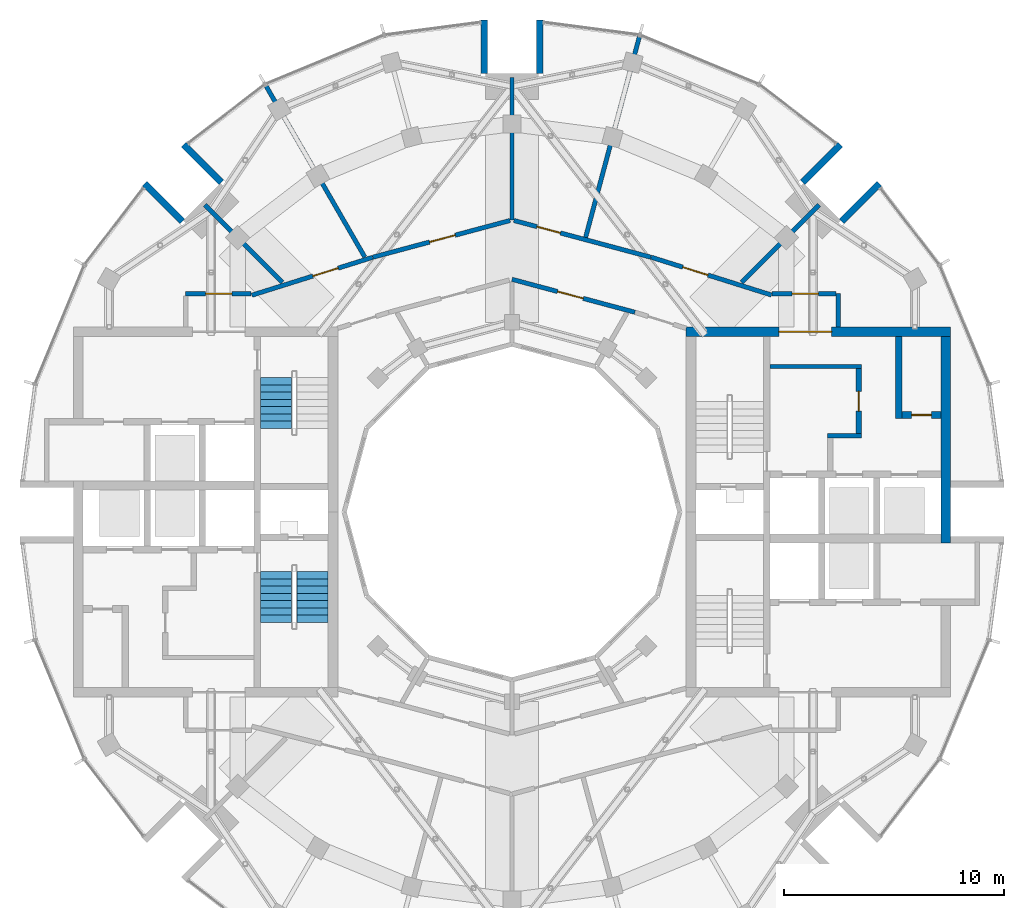
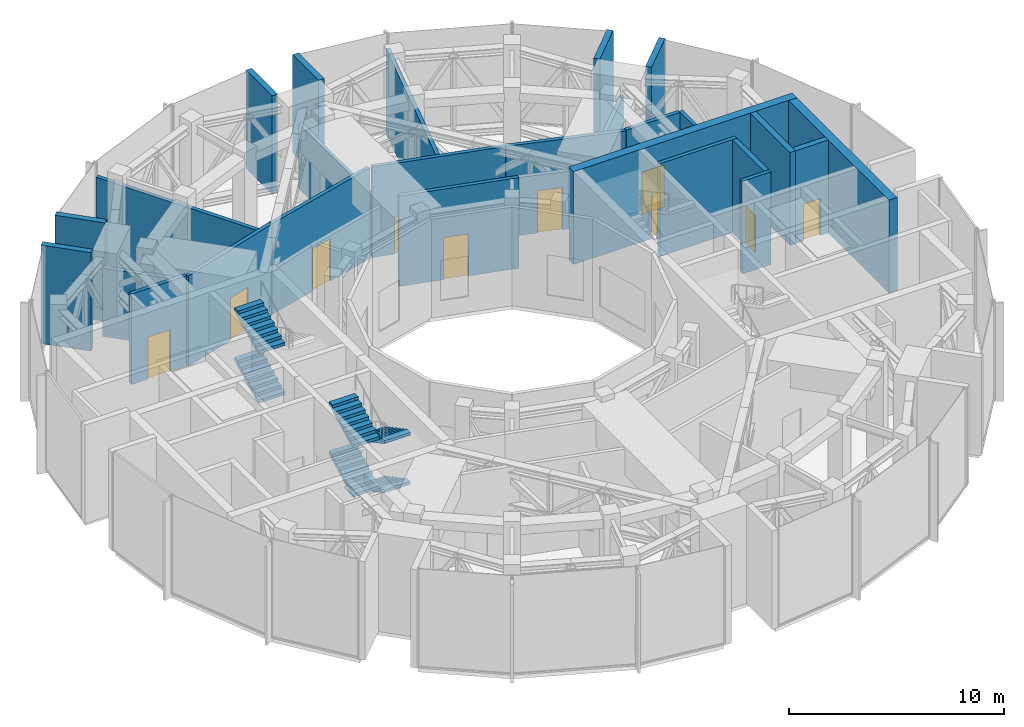
# One storey, part 14 of 17: 26 walls, 10 doors, 6 stair flights, 10 openings, 2 elements without a shape of their own.
"""IFC4 building model written with IfcOpenShell, lengths in metres."""

from ifc_helpers import new_model, si_unit, direction, frame, frame_2d, origin, place, context, subcontext, project, spatial, polyline, rectangle, outline, extrude, material, layer, layer_set, type_object, element, fill, aggregate, save


model = new_model("IFC4")

# Units and contexts
model_context = context("Model", 3, precision=1e-05, world=origin(), true_north=direction((0.0, 1.0)))
body_context = subcontext(model_context, "Body", "Model", "MODEL_VIEW")
ifc_project = project(units=[si_unit("LENGTHUNIT", "METRE"), si_unit("AREAUNIT", "SQUARE_METRE"), si_unit("VOLUMEUNIT", "CUBIC_METRE"), si_unit("PLANEANGLEUNIT", "RADIAN"), si_unit("MASSUNIT", "GRAM", prefix="KILO")], contexts=[model_context])

# Site, building, storey
site_placement = place(None, origin())
site = spatial("IfcSite", under=ifc_project, at=site_placement, CompositionType="ELEMENT")
building_placement = place(site_placement, origin())
building = spatial("IfcBuilding", under=site, at=building_placement, Name="Torre Brocal", CompositionType="ELEMENT")
storey_placement = place(building_placement, frame((0.0, 0.0, 309.300048828125)))
storey = spatial("IfcBuildingStorey", under=building, at=storey_placement, Name="L71", CompositionType="ELEMENT", Elevation=309.300048828125)

# Walls
ifc_material_1 = material(Name="Concrete C50", Category="concrete")
ifc_layer_1 = layer(ifc_material_1, 0.199951171875)
ifc_layer_set_1 = layer_set([ifc_layer_1], Name="Concrete C50")
wall_type_1 = type_object("IfcWallType", Name="CORE WALL 200 C50", PredefinedType="SHEAR", material=ifc_layer_set_1)
wall_1_placement = place(storey_placement, frame((91.699951171875, 81.60009765625, 0.0), z_axis=(0.0, 0.0, 1.0), x_axis=(1.0, 0.0, 0.0)))
element("IfcWall", 1, at=wall_1_placement, inside=storey, type_object=wall_type_1, Name="Wall CW200-50", PredefinedType="SHEAR", context=body_context, shape_type="SweptSolid", body=[
    extrude(rectangle(XDim=4.150146484375, YDim=0.199951171875, at=frame_2d((2.0751953125, 0.0))), origin(), (0.0, 0.0, 1.0), 5.280029296875),
])
wall_2_placement = place(storey_placement, frame((94.300048828125, 78.449951171875, 0.0), z_axis=(0.0, 0.0, 1.0), x_axis=(1.0, 0.0, 0.0)))
element("IfcWall", 2, at=wall_2_placement, inside=storey, type_object=wall_type_1, Name="Wall CW200-50", PredefinedType="SHEAR", context=body_context, shape_type="SweptSolid", body=[
    extrude(rectangle(XDim=1.550048828125, YDim=0.199951171875, at=frame_2d((0.77490234375, 0.0))), origin(), (0.0, 0.0, 1.0), 5.280029296875),
])

# Wall, opening, door
ifc_material_2 = material(Name="Concrete C50", Category="concrete")
ifc_layer_2 = layer(ifc_material_2, 0.25)
ifc_layer_set_2 = layer_set([ifc_layer_2], Name="Concrete C50")
wall_type_2 = type_object("IfcWallType", Name="CORE WALL 250 C50", PredefinedType="SHEAR", material=ifc_layer_set_2)
wall_3_placement = place(storey_placement, frame((95.72509765625, 78.550048828125, 0.0), z_axis=(0.0, 0.0, 1.0), x_axis=(0.0, 1.0, 0.0)))
wall_3 = element("IfcWall", 3, at=wall_3_placement, inside=storey, type_object=wall_type_2, Name="Wall CW250-50", PredefinedType="SHEAR", context=body_context, shape_type="SweptSolid", body=[
    extrude(rectangle(XDim=2.949951171875, YDim=0.25, at=frame_2d((1.47509765625, 0.0))), origin(), (0.0, 0.0, 1.0), 5.280029296875),
])
opening_1_placement = place(wall_3_placement, frame((1.02490234375, 0.0, 0.0)))
opening_1 = element("IfcOpeningElement", 4, at=opening_1_placement, cuts=wall_3, Name="Opening E-D19", PredefinedType="OPENING", context=body_context, shape_type="SweptSolid", body=[
    extrude(rectangle(XDim=0.89990234375, YDim=2.10009765625, at=frame_2d((0.449951171875, 1.050048828125))), frame((0.0, 0.135009765625, 0.0), z_axis=(0.0, -1.0, 0.0), x_axis=(1.0, 0.0, 0.0)), (0.0, 0.0, 1.0), 0.27001953125),
])
ifc_material_3 = material(Name="Steel A653", Category="steel")
door_type_1 = type_object("IfcDoorType", Name="LOBBY DOOR FD120 900X2100", OperationType="SINGLE_SWING_RIGHT", PredefinedType="DOOR", material=ifc_material_3)
door_1_placement = place(opening_1_placement, origin())
door_1 = element("IfcDoor", 5, at=door_1_placement, inside=storey, type_object=door_type_1, Name="Door E-D19", OperationType="SINGLE_SWING_LEFT", OverallHeight=2.10009765625, OverallWidth=0.89990234375, PredefinedType="DOOR", context=body_context, shape_type="SweptSolid", body=[
    extrude(rectangle(XDim=0.89990234375, YDim=2.10009765625, at=frame_2d((0.449951171875, 1.050048828125))), frame((0.0, 0.02490234375, 0.0), z_axis=(0.0, -1.0, 0.0), x_axis=(1.0, 0.0, 0.0)), (0.0, 0.0, 1.0), 0.050048828125),
])
fill(opening_1, door_1)

# Wall
ifc_material_4 = material(Name="Concrete C50", Category="concrete")
ifc_layer_3 = layer(ifc_material_4, 0.300048828125)
ifc_layer_set_3 = layer_set([ifc_layer_3], Name="Concrete C50")
wall_type_3 = type_object("IfcWallType", Name="CORE WALL 300 C50", PredefinedType="SHEAR", material=ifc_layer_set_3)
wall_4_placement = place(storey_placement, frame((97.550048828125, 79.25, 0.0), z_axis=(0.0, 0.0, 1.0), x_axis=(0.0, 1.0, 0.0)))
element("IfcWall", 6, at=wall_4_placement, inside=storey, type_object=wall_type_3, Name="Wall CW300-50", PredefinedType="SHEAR", context=body_context, shape_type="SweptSolid", body=[
    extrude(rectangle(XDim=3.699951171875, YDim=0.300048828125, at=frame_2d((1.85009765625, 0.0))), origin(), (0.0, 0.0, 1.0), 5.280029296875),
])

# Wall, opening, door
wall_5_placement = place(storey_placement, frame((97.699951171875, 79.39990234375, 0.0), z_axis=(0.0, 0.0, 1.0), x_axis=(1.0, 0.0, 0.0)))
wall_5 = element("IfcWall", 7, at=wall_5_placement, inside=storey, type_object=wall_type_3, Name="Wall CW300-50", PredefinedType="SHEAR", context=body_context, shape_type="SweptSolid", body=[
    extrude(rectangle(XDim=1.75, YDim=0.300048828125, at=frame_2d((0.875, 0.0))), origin(), (0.0, 0.0, 1.0), 5.280029296875),
])
opening_2_placement = place(wall_5_placement, frame((0.425048828125, 0.0, 0.0)))
opening_2 = element("IfcOpeningElement", 8, at=opening_2_placement, cuts=wall_5, Name="Opening E-D06", PredefinedType="OPENING", context=body_context, shape_type="SweptSolid", body=[
    extrude(rectangle(XDim=0.89990234375, YDim=2.10009765625, at=frame_2d((0.449951171875, 1.050048828125))), frame((0.0, 0.159912109375, 0.0), z_axis=(0.0, -1.0, 0.0), x_axis=(1.0, 0.0, 0.0)), (0.0, 0.0, 1.0), 0.320068359375),
])
ifc_material_5 = material(Name="Steel A653", Category="steel")
door_type_2 = type_object("IfcDoorType", Name="ROOM DOOR FD30S 900X2100", OperationType="SINGLE_SWING_LEFT", PredefinedType="DOOR", material=ifc_material_5)
door_2_placement = place(opening_2_placement, origin())
door_2 = element("IfcDoor", 9, at=door_2_placement, inside=storey, type_object=door_type_2, Name="Door E-D06", OperationType="SINGLE_SWING_LEFT", OverallHeight=2.10009765625, OverallWidth=0.89990234375, PredefinedType="DOOR", context=body_context, shape_type="SweptSolid", body=[
    extrude(rectangle(XDim=0.89990234375, YDim=2.10009765625, at=frame_2d((0.449951171875, 1.050048828125))), frame((0.0, 0.02490234375, 0.0), z_axis=(0.0, -1.0, 0.0), x_axis=(1.0, 0.0, 0.0)), (0.0, 0.0, 1.0), 0.050048828125),
])
fill(opening_2, door_2)

ifc_material_6 = material(Name="Concrete C50", Category="concrete")
ifc_layer_4 = layer(ifc_material_6, 0.449951171875)
ifc_layer_set_4 = layer_set([ifc_layer_4], Name="Concrete C50")
wall_type_4 = type_object("IfcWallType", Name="CORE WALL 450 C50", PredefinedType="SHEAR", material=ifc_layer_set_4)
wall_6_placement = place(storey_placement, frame((87.89990234375, 83.175048828125, 0.0), z_axis=(0.0, 0.0, 1.0), x_axis=(1.0, 0.0, 0.0)))
wall_6 = element("IfcWall", 10, at=wall_6_placement, inside=storey, type_object=wall_type_4, Name="Wall CW450-50", PredefinedType="SHEAR", context=body_context, shape_type="SweptSolid", body=[
    extrude(rectangle(XDim=12.0, YDim=0.449951171875, at=frame_2d((6.0, 0.0))), origin(), (0.0, 0.0, 1.0), 5.280029296875),
])
opening_3_placement = place(wall_6_placement, frame((4.199951171875, 0.0, 0.0)))
opening_3 = element("IfcOpeningElement", 11, at=opening_3_placement, cuts=wall_6, Name="Opening E-D24", PredefinedType="OPENING", context=body_context, shape_type="SweptSolid", body=[
    extrude(rectangle(XDim=2.39990234375, YDim=2.39990234375, at=frame_2d((1.199951171875, 1.199951171875))), frame((0.0, 0.23486328125, 0.0), z_axis=(0.0, -1.0, 0.0), x_axis=(1.0, 0.0, 0.0)), (0.0, 0.0, 1.0), 0.469970703125),
])
ifc_material_7 = material(Name="Steel A653", Category="steel")
door_type_3 = type_object("IfcDoorType", Name="DOUBLE FIRE DOOR FD90 2400X2400", OperationType="DOUBLE_DOOR_SINGLE_SWING", PredefinedType="DOOR", material=ifc_material_7)
door_3_placement = place(opening_3_placement, frame((2.39990234375, 0.0, 0.0), z_axis=(0.0, 0.0, 1.0), x_axis=(-1.0, 0.0, 0.0)))
door_3 = element("IfcDoor", 12, at=door_3_placement, inside=storey, type_object=door_type_3, Name="Door E-D24", OperationType="DOUBLE_DOOR_SINGLE_SWING", OverallHeight=2.39990234375, OverallWidth=2.39990234375, PredefinedType="DOOR", context=body_context, shape_type="SweptSolid", body=[
    extrude(rectangle(XDim=2.39990234375, YDim=2.39990234375, at=frame_2d((1.199951171875, 1.199951171875))), frame((0.0, 0.02490234375, 0.0), z_axis=(0.0, -1.0, 0.0), x_axis=(1.0, 0.0, 0.0)), (0.0, 0.0, 1.0), 0.050048828125),
])
fill(opening_3, door_3)

# Walls
wall_7_placement = place(storey_placement, frame((99.675048828125, 73.60009765625, 0.0), z_axis=(0.0, 0.0, 1.0), x_axis=(0.0, 1.0, 0.0)))
element("IfcWall", 13, at=wall_7_placement, inside=storey, type_object=wall_type_4, Name="Wall CW450-50", PredefinedType="SHEAR", context=body_context, shape_type="SweptSolid", body=[
    extrude(rectangle(XDim=9.349853515625, YDim=0.449951171875, at=frame_2d((4.6748046875, 0.0))), origin(), (0.0, 0.0, 1.0), 5.280029296875),
])
ifc_material_8 = material(Name="Concrete C50", Category="concrete")
ifc_layer_5 = layer(ifc_material_8, 0.300048828125)
ifc_layer_set_5 = layer_set([ifc_layer_5], Name="Concrete C50")
wall_type_5 = type_object("IfcWallType", Name="NOTCH RETURN WALL 300 C50", PredefinedType="NOTDEFINED", material=ifc_layer_set_5)
for number, where, z_axis, x_axis, name in (
    (14, (94.955322265625, 88.1875, 0.0), (0.0, 0.0, 1.0), (0.707106781187, 0.707106781187, 0.0), "NOTCH RETURN WALL"),
    (15, (93.1875, 89.955322265625, 0.0), (0.0, 0.0, 1.0), (0.707106781187, 0.707106781187, 0.0), "NOTCH RETURN WALL"),
    (16, (81.25, 94.89990234375, 0.0), (0.0, 0.0, 1.0), (0.0, 1.0, 0.0), "NOTCH RETURN WALL"),
    (17, (78.75, 94.89990234375, 0.0), (0.0, 0.0, 1.0), (0.0, 1.0, 0.0), "NOTCH RETURN WALL"),
    (18, (66.8125, 89.955322265625, 0.0), (0.0, 0.0, 1.0), (-0.707106781187, 0.707106781187, 0.0), "NOTCH RETURN WALL"),
    (19, (65.044677734375, 88.1875, 0.0), (0.0, 0.0, 1.0), (-0.707106781187, 0.707106781187, 0.0), "NOTCH RETURN WALL"),
):
    element("IfcWall", number, at=place(storey_placement, frame(where, z_axis=z_axis, x_axis=x_axis)), inside=storey, type_object=wall_type_5, Name=name, PredefinedType="NOTDEFINED", context=body_context, shape_type="SweptSolid", body=[
        extrude(rectangle(XDim=2.415771484375, YDim=0.300048828125, at=frame_2d((1.2080078125, 0.0))), origin(), (0.0, 0.0, 1.0), 5.599853515625),
    ])

# Wall, opening, door
ifc_material_9 = material(Name="Masonry block", Category="masonry")
ifc_layer_6 = layer(ifc_material_9, 0.199951171875)
ifc_layer_set_6 = layer_set([ifc_layer_6], Name="Masonry block")
wall_type_6 = type_object("IfcWallType", Name="PARTITION 200 EI120", PredefinedType="PARTITIONING", material=ifc_layer_set_6)
wall_8_placement = place(storey_placement, frame((65.199951171875, 84.89990234375, 0.0), z_axis=(0.0, 0.0, 1.0), x_axis=(1.0, 0.0, 0.0)))
wall_8 = element("IfcWall", 20, at=wall_8_placement, inside=storey, type_object=wall_type_6, Name="PLANT ROOM WALL", PredefinedType="PARTITIONING", context=body_context, shape_type="SweptSolid", body=[
    extrude(rectangle(XDim=2.969970703125, YDim=0.199951171875, at=frame_2d((1.48486328125, 0.0))), origin(), (0.0, 0.0, 1.0), 5.14990234375),
])
opening_4_placement = place(wall_8_placement, frame((0.89990234375, 0.0, 0.0)))
opening_4 = element("IfcOpeningElement", 21, at=opening_4_placement, cuts=wall_8, Name="Opening X3-D06", PredefinedType="OPENING", context=body_context, shape_type="SweptSolid", body=[
    extrude(rectangle(XDim=1.199951171875, YDim=2.39990234375, at=frame_2d((0.60009765625, 1.199951171875))), frame((0.0, 0.10986328125, 0.0), z_axis=(0.0, -1.0, 0.0), x_axis=(1.0, 0.0, 0.0)), (0.0, 0.0, 1.0), 0.219970703125),
])
ifc_material_10 = material(Name="Steel A653", Category="steel")
door_type_4 = type_object("IfcDoorType", Name="PLANT DOOR FD90 1200X2400", OperationType="SINGLE_SWING_RIGHT", PredefinedType="DOOR", material=ifc_material_10)
door_4_placement = place(opening_4_placement, origin())
door_4 = element("IfcDoor", 22, at=door_4_placement, inside=storey, type_object=door_type_4, Name="X3-D06", OperationType="SINGLE_SWING_RIGHT", OverallHeight=2.39990234375, OverallWidth=1.199951171875, PredefinedType="DOOR", context=body_context, shape_type="SweptSolid", body=[
    extrude(rectangle(XDim=1.199951171875, YDim=2.39990234375, at=frame_2d((0.60009765625, 1.199951171875))), frame((0.0, 0.02490234375, 0.0), z_axis=(0.0, -1.0, 0.0), x_axis=(1.0, 0.0, 0.0)), (0.0, 0.0, 1.0), 0.050048828125),
])
fill(opening_4, door_4)

wall_9_placement = place(storey_placement, frame((68.200927734375, 84.83349609375, 0.0), z_axis=(0.0, 0.0, 1.0), x_axis=(0.95420102455, 0.299166182492, 0.0)))
wall_9 = element("IfcWall", 23, at=wall_9_placement, inside=storey, type_object=wall_type_6, Name="PLANT ROOM WALL", PredefinedType="PARTITIONING", context=body_context, shape_type="SweptSolid", body=[
    extrude(rectangle(XDim=5.739501953125, YDim=0.199951171875, at=frame_2d((2.86962890625, 0.0))), origin(), (0.0, 0.0, 1.0), 5.14990234375),
])
opening_5_placement = place(wall_9_placement, frame((2.89892578125, 0.0, 0.0)))
opening_5 = element("IfcOpeningElement", 24, at=opening_5_placement, cuts=wall_9, Name="Opening X3-D05", PredefinedType="OPENING", context=body_context, shape_type="SweptSolid", body=[
    extrude(rectangle(XDim=1.199951171875, YDim=2.39990234375, at=frame_2d((0.60009765625, 1.199951171875))), frame((0.0, 0.10986328125, 0.0), z_axis=(0.0, -1.0, 0.0), x_axis=(1.0, 0.0, 0.0)), (0.0, 0.0, 1.0), 0.219970703125),
])
door_5_placement = place(opening_5_placement, origin())
door_5 = element("IfcDoor", 25, at=door_5_placement, inside=storey, type_object=door_type_4, Name="X3-D05", OperationType="SINGLE_SWING_RIGHT", OverallHeight=2.39990234375, OverallWidth=1.199951171875, PredefinedType="DOOR", context=body_context, shape_type="SweptSolid", body=[
    extrude(rectangle(XDim=1.199951171875, YDim=2.39990234375, at=frame_2d((0.60009765625, 1.199951171875))), frame((0.0, 0.02490234375, 0.0), z_axis=(0.0, -1.0, 0.0), x_axis=(1.0, 0.0, 0.0)), (0.0, 0.0, 1.0), 0.050048828125),
])
fill(opening_5, door_5)

wall_10_placement = place(storey_placement, frame((73.68701171875, 86.554443359375, 0.0), z_axis=(0.0, 0.0, 1.0), x_axis=(0.96595903825, 0.258695064551, 0.0)))
wall_10 = element("IfcWall", 26, at=wall_10_placement, inside=storey, type_object=wall_type_6, Name="PLANT ROOM WALL", PredefinedType="PARTITIONING", context=body_context, shape_type="SweptSolid", body=[
    extrude(rectangle(XDim=6.44580078125, YDim=0.199951171875, at=frame_2d((3.222900390625, 0.0))), origin(), (0.0, 0.0, 1.0), 5.14990234375),
])
opening_6_placement = place(wall_10_placement, frame((2.66796875, 0.0, 0.0)))
opening_6 = element("IfcOpeningElement", 27, at=opening_6_placement, cuts=wall_10, Name="Opening X3-D04", PredefinedType="OPENING", context=body_context, shape_type="SweptSolid", body=[
    extrude(rectangle(XDim=1.199951171875, YDim=2.39990234375, at=frame_2d((0.60009765625, 1.199951171875))), frame((0.0, 0.10986328125, 0.0), z_axis=(0.0, -1.0, 0.0), x_axis=(1.0, 0.0, 0.0)), (0.0, 0.0, 1.0), 0.219970703125),
])
door_6_placement = place(opening_6_placement, origin())
door_6 = element("IfcDoor", 28, at=door_6_placement, inside=storey, type_object=door_type_4, Name="X3-D04", OperationType="SINGLE_SWING_RIGHT", OverallHeight=2.39990234375, OverallWidth=1.199951171875, PredefinedType="DOOR", context=body_context, shape_type="SweptSolid", body=[
    extrude(rectangle(XDim=1.199951171875, YDim=2.39990234375, at=frame_2d((0.60009765625, 1.199951171875))), frame((0.0, 0.02490234375, 0.0), z_axis=(0.0, -1.0, 0.0), x_axis=(1.0, 0.0, 0.0)), (0.0, 0.0, 1.0), 0.050048828125),
])
fill(opening_6, door_6)

wall_11_placement = place(storey_placement, frame((80.0, 85.553955078125, 0.0), z_axis=(0.0, 0.0, 1.0), x_axis=(0.965928989968, -0.258807237802, 0.0)))
wall_11 = element("IfcWall", 29, at=wall_11_placement, inside=storey, type_object=wall_type_6, Name="PLANT ROOM WALL", PredefinedType="PARTITIONING", context=body_context, shape_type="SweptSolid", body=[
    extrude(rectangle(XDim=5.774169921875, YDim=0.199951171875, at=frame_2d((2.88720703125, 0.0))), origin(), (0.0, 0.0, 1.0), 5.14990234375),
])
opening_7_placement = place(wall_11_placement, frame((2.141357421875, 0.0, 0.0)))
opening_7 = element("IfcOpeningElement", 30, at=opening_7_placement, cuts=wall_11, Name="Opening X3-D08", PredefinedType="OPENING", context=body_context, shape_type="SweptSolid", body=[
    extrude(rectangle(XDim=1.199951171875, YDim=2.39990234375, at=frame_2d((0.60009765625, 1.199951171875))), frame((0.0, 0.10986328125, 0.0), z_axis=(0.0, -1.0, 0.0), x_axis=(1.0, 0.0, 0.0)), (0.0, 0.0, 1.0), 0.219970703125),
])
door_7_placement = place(opening_7_placement, frame((1.199951171875, 0.0, 0.0), z_axis=(0.0, 0.0, 1.0), x_axis=(-1.0, 0.0, 0.0)))
door_7 = element("IfcDoor", 31, at=door_7_placement, inside=storey, type_object=door_type_4, Name="X3-D08", OperationType="SINGLE_SWING_LEFT", OverallHeight=2.39990234375, OverallWidth=1.199951171875, PredefinedType="DOOR", context=body_context, shape_type="SweptSolid", body=[
    extrude(rectangle(XDim=1.199951171875, YDim=2.39990234375, at=frame_2d((0.60009765625, 1.199951171875))), frame((0.0, 0.02490234375, 0.0), z_axis=(0.0, -1.0, 0.0), x_axis=(1.0, 0.0, 0.0)), (0.0, 0.0, 1.0), 0.050048828125),
])
fill(opening_7, door_7)

wall_12_placement = place(storey_placement, frame((80.0869140625, 88.22265625, 0.0), z_axis=(0.0, 0.0, 1.0), x_axis=(0.965861823169, -0.25905778997, 0.0)))
wall_12 = element("IfcWall", 32, at=wall_12_placement, inside=storey, type_object=wall_type_6, Name="PLANT ROOM WALL", PredefinedType="PARTITIONING", context=body_context, shape_type="SweptSolid", body=[
    extrude(rectangle(XDim=6.435791015625, YDim=0.199951171875, at=frame_2d((3.2177734375, 0.0))), origin(), (0.0, 0.0, 1.0), 5.14990234375),
])
opening_8_placement = place(wall_12_placement, frame((1.083740234375, 0.0, 0.0)))
opening_8 = element("IfcOpeningElement", 33, at=opening_8_placement, cuts=wall_12, Name="Opening X3-D03", PredefinedType="OPENING", context=body_context, shape_type="SweptSolid", body=[
    extrude(rectangle(XDim=1.10009765625, YDim=2.10009765625, at=frame_2d((0.550048828125, 1.050048828125))), frame((0.0, 0.10986328125, 0.0), z_axis=(0.0, -1.0, 0.0), x_axis=(1.0, 0.0, 0.0)), (0.0, 0.0, 1.0), 0.219970703125),
])
ifc_material_11 = material(Name="Steel A653", Category="steel")
door_type_5 = type_object("IfcDoorType", Name="REFUGE DOOR FD90 1100X2100", OperationType="SINGLE_SWING_RIGHT", PredefinedType="DOOR", material=ifc_material_11)
door_8_placement = place(opening_8_placement, origin())
door_8 = element("IfcDoor", 34, at=door_8_placement, inside=storey, type_object=door_type_5, Name="X3-D03", OperationType="SINGLE_SWING_RIGHT", OverallHeight=2.10009765625, OverallWidth=1.10009765625, PredefinedType="DOOR", context=body_context, shape_type="SweptSolid", body=[
    extrude(rectangle(XDim=1.10009765625, YDim=2.10009765625, at=frame_2d((0.550048828125, 1.050048828125))), frame((0.0, 0.02490234375, 0.0), z_axis=(0.0, -1.0, 0.0), x_axis=(1.0, 0.0, 0.0)), (0.0, 0.0, 1.0), 0.050048828125),
])
fill(opening_8, door_8)

wall_13_placement = place(storey_placement, frame((86.3134765625, 86.5556640625, 0.0), z_axis=(0.0, 0.0, 1.0), x_axis=(0.95397278515, -0.299893189641, 0.0)))
wall_13 = element("IfcWall", 35, at=wall_13_placement, inside=storey, type_object=wall_type_6, Name="PLANT ROOM WALL", PredefinedType="PARTITIONING", context=body_context, shape_type="SweptSolid", body=[
    extrude(rectangle(XDim=5.7197265625, YDim=0.199951171875, at=frame_2d((2.85986328125, 0.0))), origin(), (0.0, 0.0, 1.0), 5.14990234375),
])
opening_9_placement = place(wall_13_placement, frame((1.501220703125, 0.0, 0.0)))
opening_9 = element("IfcOpeningElement", 36, at=opening_9_placement, cuts=wall_13, Name="Opening X3-D02", PredefinedType="OPENING", context=body_context, shape_type="SweptSolid", body=[
    extrude(rectangle(XDim=1.199951171875, YDim=2.39990234375, at=frame_2d((0.60009765625, 1.199951171875))), frame((0.0, 0.10986328125, 0.0), z_axis=(0.0, -1.0, 0.0), x_axis=(1.0, 0.0, 0.0)), (0.0, 0.0, 1.0), 0.219970703125),
])
door_9_placement = place(opening_9_placement, origin())
door_9 = element("IfcDoor", 37, at=door_9_placement, inside=storey, type_object=door_type_4, Name="X3-D02", OperationType="SINGLE_SWING_RIGHT", OverallHeight=2.39990234375, OverallWidth=1.199951171875, PredefinedType="DOOR", context=body_context, shape_type="SweptSolid", body=[
    extrude(rectangle(XDim=1.199951171875, YDim=2.39990234375, at=frame_2d((0.60009765625, 1.199951171875))), frame((0.0, 0.02490234375, 0.0), z_axis=(0.0, -1.0, 0.0), x_axis=(1.0, 0.0, 0.0)), (0.0, 0.0, 1.0), 0.050048828125),
])
fill(opening_9, door_9)

wall_14_placement = place(storey_placement, frame((91.800048828125, 84.89990234375, 0.0), z_axis=(0.0, 0.0, 1.0), x_axis=(1.0, 0.0, 0.0)))
wall_14 = element("IfcWall", 38, at=wall_14_placement, inside=storey, type_object=wall_type_6, Name="PLANT ROOM WALL", PredefinedType="PARTITIONING", context=body_context, shape_type="SweptSolid", body=[
    extrude(rectangle(XDim=2.89990234375, YDim=0.199951171875, at=frame_2d((1.449951171875, 0.0))), origin(), (0.0, 0.0, 1.0), 5.14990234375),
])
opening_10_placement = place(wall_14_placement, frame((0.89990234375, 0.0, 0.0)))
opening_10 = element("IfcOpeningElement", 39, at=opening_10_placement, cuts=wall_14, Name="Opening X3-D01", PredefinedType="OPENING", context=body_context, shape_type="SweptSolid", body=[
    extrude(rectangle(XDim=1.199951171875, YDim=2.39990234375, at=frame_2d((0.60009765625, 1.199951171875))), frame((0.0, 0.10986328125, 0.0), z_axis=(0.0, -1.0, 0.0), x_axis=(1.0, 0.0, 0.0)), (0.0, 0.0, 1.0), 0.219970703125),
])
door_10_placement = place(opening_10_placement, origin())
door_10 = element("IfcDoor", 40, at=door_10_placement, inside=storey, type_object=door_type_4, Name="X3-D01", OperationType="SINGLE_SWING_LEFT", OverallHeight=2.39990234375, OverallWidth=1.199951171875, PredefinedType="DOOR", context=body_context, shape_type="SweptSolid", body=[
    extrude(rectangle(XDim=1.199951171875, YDim=2.39990234375, at=frame_2d((0.60009765625, 1.199951171875))), frame((0.0, 0.02490234375, 0.0), z_axis=(0.0, -1.0, 0.0), x_axis=(1.0, 0.0, 0.0)), (0.0, 0.0, 1.0), 0.050048828125),
])
fill(opening_10, door_10)

# Walls
wall_15_placement = place(storey_placement, frame((94.800048828125, 83.40087890625, 0.0), z_axis=(0.0, 0.0, 1.0), x_axis=(0.0, 1.0, 0.0)))
element("IfcWall", 41, at=wall_15_placement, inside=storey, type_object=wall_type_6, Name="PLANT ROOM WALL", PredefinedType="PARTITIONING", context=body_context, shape_type="SweptSolid", body=[
    extrude(rectangle(XDim=1.4990234375, YDim=0.199951171875, at=frame_2d((0.74951171875, 0.0))), origin(), (0.0, 0.0, 1.0), 5.14990234375),
])
ifc_material_12 = material(Name="Masonry block", Category="masonry")
ifc_layer_7 = layer(ifc_material_12, 0.199951171875)
ifc_layer_set_7 = layer_set([ifc_layer_7], Name="Masonry block")
wall_type_7 = type_object("IfcWallType", Name="PARTITION 200 EI120 UNDER BEAM 1720", PredefinedType="PARTITIONING", material=ifc_layer_set_7)
wall_16_placement = place(storey_placement, frame((66.0703125, 88.93017578125, 0.0), z_axis=(0.0, 0.0, 1.0), x_axis=(0.707008510494, -0.707205038224, 0.0)))
element("IfcWall", 42, at=wall_16_placement, inside=storey, type_object=wall_type_7, Name="PLANT ROOM WALL", PredefinedType="PARTITIONING", context=body_context, shape_type="SweptSolid", body=[
    extrude(rectangle(XDim=4.968994140625, YDim=0.199951171875, at=frame_2d((2.484375, 0.0))), origin(), (0.0, 0.0, 1.0), 3.8798828125),
])
wall_17_placement = place(storey_placement, frame((90.4169921875, 85.414306640625, 0.0), z_axis=(0.0, 0.0, 1.0), x_axis=(0.707205024573, 0.707008524149, 0.0)))
element("IfcWall", 43, at=wall_17_placement, inside=storey, type_object=wall_type_7, Name="PLANT ROOM WALL", PredefinedType="PARTITIONING", context=body_context, shape_type="SweptSolid", body=[
    extrude(rectangle(XDim=4.9697265625, YDim=0.199951171875, at=frame_2d((2.48486328125, 0.0))), origin(), (0.0, 0.0, 1.0), 3.8798828125),
])
ifc_material_13 = material(Name="Masonry block", Category="masonry")
ifc_layer_8 = layer(ifc_material_13, 0.199951171875)
ifc_layer_set_8 = layer_set([ifc_layer_8], Name="Masonry block")
wall_type_8 = type_object("IfcWallType", Name="PARTITION 200 EI120 UNDER BEAM 1920", PredefinedType="PARTITIONING", material=ifc_layer_set_8)
wall_18_placement = place(storey_placement, frame((80.0, 88.2470703125, 0.0), z_axis=(0.0, 0.0, 1.0), x_axis=(0.0, 1.0, 0.0)))
element("IfcWall", 44, at=wall_18_placement, inside=storey, type_object=wall_type_8, Name="PLANT ROOM WALL", PredefinedType="PARTITIONING", context=body_context, shape_type="SweptSolid", body=[
    extrude(rectangle(XDim=6.451904296875, YDim=0.199951171875, at=frame_2d((3.22607421875, 0.0))), origin(), (0.0, 0.0, 1.0), 3.679931640625),
])
ifc_material_14 = material(Name="Masonry block", Category="masonry")
ifc_layer_9 = layer(ifc_material_14, 0.199951171875)
ifc_layer_set_9 = layer_set([ifc_layer_9], Name="Masonry block")
wall_type_9 = type_object("IfcWallType", Name="PARTITION 200 EI120 UNDER BEAM 788", PredefinedType="PARTITIONING", material=ifc_layer_set_9)
wall_19_placement = place(storey_placement, frame((68.8515625, 94.310791015625, 0.0), z_axis=(0.0, 0.0, 1.0), x_axis=(0.499940606313, -0.86605969203, 0.0)))
element("IfcWall", 45, at=wall_19_placement, inside=storey, type_object=wall_type_9, Name="PLANT ROOM WALL", PredefinedType="PARTITIONING", context=body_context, shape_type="SweptSolid", body=[
    extrude(rectangle(XDim=8.94482421875, YDim=0.199951171875, at=frame_2d((4.472412109375, 0.0))), origin(), (0.0, 0.0, 1.0), 4.81201171875),
])
wall_20_placement = place(storey_placement, frame((83.338134765625, 87.455078125, 0.0), z_axis=(0.0, 0.0, 1.0), x_axis=(0.258903493159, 0.965903194544, 0.0)))
element("IfcWall", 46, at=wall_20_placement, inside=storey, type_object=wall_type_9, Name="PLANT ROOM WALL", PredefinedType="PARTITIONING", context=body_context, shape_type="SweptSolid", body=[
    extrude(rectangle(XDim=9.4033203125, YDim=0.199951171875, at=frame_2d((4.70166015625, 0.0))), origin(), (0.0, 0.0, 1.0), 4.81201171875),
])

# Stair, stair flights
ifc_material_15 = material(Name="Concrete C50", Category="concrete")
stair_type = type_object("IfcStairType", Name="EXIT STAIR", PredefinedType="HALF_TURN_STAIR", material=ifc_material_15)
stair_1_placement = place(storey_placement, origin())
stair_1 = element("IfcStair", 47, at=stair_1_placement, inside=storey, type_object=stair_type, Name="EXIT STAIR ST3", PredefinedType="HALF_TURN_STAIR")
ifc_material_16 = material(Name="Concrete C50", Category="concrete")
ifc_layer_10 = layer(ifc_material_16, 0.14990234375)
ifc_layer_set_10 = layer_set([ifc_layer_10], Name="Concrete C50")
stair_flight_type = type_object("IfcStairFlightType", Name="STAIR FLIGHT", PredefinedType="STRAIGHT", material=ifc_layer_set_10)
stair_flight_1_placement = place(storey_placement, frame((70.949951171875, 72.300048828125, 0.0), z_axis=(0.0, 0.0, 1.0), x_axis=(0.0, -1.0, 0.0)))
stair_flight_1 = element("IfcStairFlight", 48, at=stair_flight_1_placement, type_object=stair_flight_type, Name="ST3 flight 1", NumberOfRisers=8, NumberOfTreads=7, PredefinedType="STRAIGHT", RiserHeight=0.175, TreadLength=0.33, context=body_context, shape_type="SweptSolid", body=[
    extrude(outline(polyline([(0.0, 0.0), (0.0, 0.175048828125), (0.330078125, 0.175048828125), (0.330078125, 0.35009765625), (0.659912109375, 0.35009765625), (0.659912109375, 0.52490234375), (0.989990234375, 0.52490234375), (0.989990234375, 0.699951171875), (1.320068359375, 0.699951171875), (1.320068359375, 0.875), (1.64990234375, 0.875), (1.64990234375, 1.050048828125), (1.97998046875, 1.050048828125), (1.97998046875, 1.22509765625), (2.31005859375, 1.22509765625), (2.31005859375, 1.39990234375), (2.31005859375, 1.055419921875), (0.320068359375, 0.0), (0.0, 0.0)])), frame((0.0, 0.699951171875, 0.0), z_axis=(0.0, -1.0, 0.0), x_axis=(1.0, 0.0, 0.0)), (0.0, 0.0, 1.0), 1.39990234375),
])
stair_flight_2_placement = place(storey_placement, frame((69.300048828125, 69.989990234375, 1.39990234375), z_axis=(0.0, 0.0, 1.0), x_axis=(0.0, 1.0, 0.0)))
stair_flight_2 = element("IfcStairFlight", 49, at=stair_flight_2_placement, type_object=stair_flight_type, Name="ST3 flight 2", NumberOfRisers=8, NumberOfTreads=7, PredefinedType="STRAIGHT", RiserHeight=0.175, TreadLength=0.33, context=body_context, shape_type="SweptSolid", body=[
    extrude(outline(polyline([(0.0, 0.0), (0.0, 0.175048828125), (0.330078125, 0.175048828125), (0.330078125, 0.35009765625), (0.659912109375, 0.35009765625), (0.659912109375, 0.52490234375), (0.989990234375, 0.52490234375), (0.989990234375, 0.699951171875), (1.320068359375, 0.699951171875), (1.320068359375, 0.875), (1.64990234375, 0.875), (1.64990234375, 1.050048828125), (1.97998046875, 1.050048828125), (1.97998046875, 1.22509765625), (2.31005859375, 1.22509765625), (2.31005859375, 1.39990234375), (2.31005859375, 1.055419921875), (0.320068359375, 0.0), (0.0, 0.0)])), frame((0.0, 0.699951171875, 0.0), z_axis=(0.0, -1.0, 0.0), x_axis=(1.0, 0.0, 0.0)), (0.0, 0.0, 1.0), 1.39990234375),
])
stair_flight_3_placement = place(storey_placement, frame((70.949951171875, 72.300048828125, 2.800048828125), z_axis=(0.0, 0.0, 1.0), x_axis=(0.0, -1.0, 0.0)))
stair_flight_3 = element("IfcStairFlight", 50, at=stair_flight_3_placement, type_object=stair_flight_type, Name="ST3 flight 3", NumberOfRisers=8, NumberOfTreads=7, PredefinedType="STRAIGHT", RiserHeight=0.175, TreadLength=0.33, context=body_context, shape_type="SweptSolid", body=[
    extrude(outline(polyline([(0.0, 0.0), (0.0, 0.175048828125), (0.330078125, 0.175048828125), (0.330078125, 0.35009765625), (0.659912109375, 0.35009765625), (0.659912109375, 0.52490234375), (0.989990234375, 0.52490234375), (0.989990234375, 0.699951171875), (1.320068359375, 0.699951171875), (1.320068359375, 0.875), (1.64990234375, 0.875), (1.64990234375, 1.050048828125), (1.97998046875, 1.050048828125), (1.97998046875, 1.22509765625), (2.31005859375, 1.22509765625), (2.31005859375, 1.39990234375), (2.31005859375, 1.055419921875), (0.320068359375, 0.0), (0.0, 0.0)])), frame((0.0, 0.699951171875, 0.0), z_axis=(0.0, -1.0, 0.0), x_axis=(1.0, 0.0, 0.0)), (0.0, 0.0, 1.0), 1.39990234375),
])
stair_flight_4_placement = place(storey_placement, frame((69.300048828125, 69.989990234375, 4.199951171875), z_axis=(0.0, 0.0, 1.0), x_axis=(0.0, 1.0, 0.0)))
stair_flight_4 = element("IfcStairFlight", 51, at=stair_flight_4_placement, type_object=stair_flight_type, Name="ST3 flight 4", NumberOfRisers=8, NumberOfTreads=7, PredefinedType="STRAIGHT", RiserHeight=0.175, TreadLength=0.33, context=body_context, shape_type="SweptSolid", body=[
    extrude(outline(polyline([(0.0, 0.0), (0.0, 0.175048828125), (0.330078125, 0.175048828125), (0.330078125, 0.35009765625), (0.659912109375, 0.35009765625), (0.659912109375, 0.52490234375), (0.989990234375, 0.52490234375), (0.989990234375, 0.699951171875), (1.320068359375, 0.699951171875), (1.320068359375, 0.875), (1.64990234375, 0.875), (1.64990234375, 1.050048828125), (1.97998046875, 1.050048828125), (1.97998046875, 1.22509765625), (2.31005859375, 1.22509765625), (2.31005859375, 1.39990234375), (2.31005859375, 1.055419921875), (0.320068359375, 0.0), (0.0, 0.0)])), frame((0.0, 0.699951171875, 0.0), z_axis=(0.0, -1.0, 0.0), x_axis=(1.0, 0.0, 0.0)), (0.0, 0.0, 1.0), 1.39990234375),
])
aggregate(stair_1, [stair_flight_1, stair_flight_2, stair_flight_3, stair_flight_4])

stair_2_placement = place(storey_placement, origin())
stair_2 = element("IfcStair", 52, at=stair_2_placement, inside=storey, type_object=stair_type, Name="EXIT STAIR ST4", PredefinedType="HALF_TURN_STAIR")
stair_flight_5_placement = place(storey_placement, frame((69.300048828125, 78.7900390625, 1.39990234375), z_axis=(0.0, 0.0, 1.0), x_axis=(0.0, 1.0, 0.0)))
stair_flight_5 = element("IfcStairFlight", 53, at=stair_flight_5_placement, type_object=stair_flight_type, Name="ST4 flight 2", NumberOfRisers=8, NumberOfTreads=7, PredefinedType="STRAIGHT", RiserHeight=0.175, TreadLength=0.33, context=body_context, shape_type="SweptSolid", body=[
    extrude(outline(polyline([(0.0, 0.0), (0.0, 0.175048828125), (0.330078125, 0.175048828125), (0.330078125, 0.35009765625), (0.659912109375, 0.35009765625), (0.659912109375, 0.52490234375), (0.989990234375, 0.52490234375), (0.989990234375, 0.699951171875), (1.320068359375, 0.699951171875), (1.320068359375, 0.875), (1.64990234375, 0.875), (1.64990234375, 1.050048828125), (1.97998046875, 1.050048828125), (1.97998046875, 1.22509765625), (2.31005859375, 1.22509765625), (2.31005859375, 1.39990234375), (2.31005859375, 1.055419921875), (0.320068359375, 0.0), (0.0, 0.0)])), frame((0.0, 0.699951171875, 0.0), z_axis=(0.0, -1.0, 0.0), x_axis=(1.0, 0.0, 0.0)), (0.0, 0.0, 1.0), 1.39990234375),
])
stair_flight_6_placement = place(storey_placement, frame((69.300048828125, 78.7900390625, 4.199951171875), z_axis=(0.0, 0.0, 1.0), x_axis=(0.0, 1.0, 0.0)))
stair_flight_6 = element("IfcStairFlight", 54, at=stair_flight_6_placement, type_object=stair_flight_type, Name="ST4 flight 4", NumberOfRisers=8, NumberOfTreads=7, PredefinedType="STRAIGHT", RiserHeight=0.175, TreadLength=0.33, context=body_context, shape_type="SweptSolid", body=[
    extrude(outline(polyline([(0.0, 0.0), (0.0, 0.175048828125), (0.330078125, 0.175048828125), (0.330078125, 0.35009765625), (0.659912109375, 0.35009765625), (0.659912109375, 0.52490234375), (0.989990234375, 0.52490234375), (0.989990234375, 0.699951171875), (1.320068359375, 0.699951171875), (1.320068359375, 0.875), (1.64990234375, 0.875), (1.64990234375, 1.050048828125), (1.97998046875, 1.050048828125), (1.97998046875, 1.22509765625), (2.31005859375, 1.22509765625), (2.31005859375, 1.39990234375), (2.31005859375, 1.055419921875), (0.320068359375, 0.0), (0.0, 0.0)])), frame((0.0, 0.699951171875, 0.0), z_axis=(0.0, -1.0, 0.0), x_axis=(1.0, 0.0, 0.0)), (0.0, 0.0, 1.0), 1.39990234375),
])
aggregate(stair_2, [stair_flight_5, stair_flight_6])

save(model, "model.ifc")
